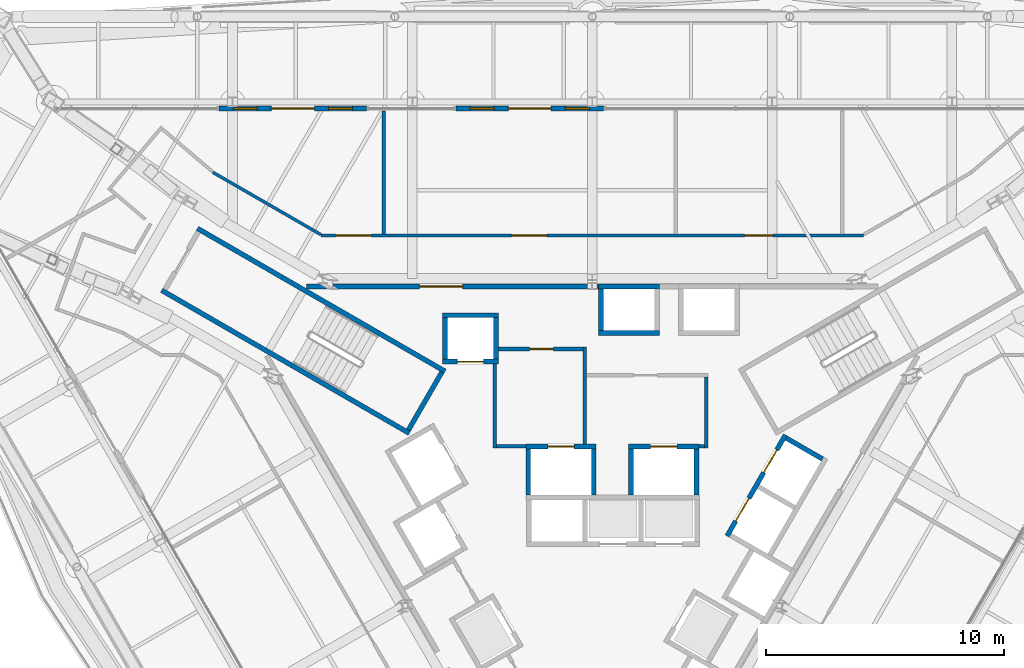
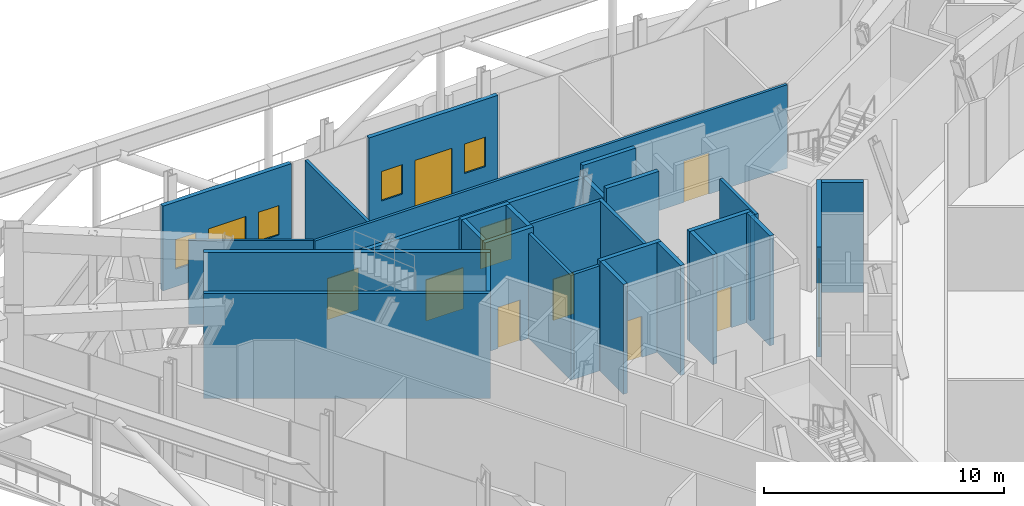
# One storey, part 17 of 25: 30 walls, 12 doors, 4 windows, 16 openings.
"""IFC4 building model written with IfcOpenShell, lengths in metres."""

from ifc_helpers import new_model, si_unit, direction, frame, frame_2d, origin, place, context, subcontext, project, spatial, rectangle, extrude, material, layer, layer_set, type_object, element, fill, save


model = new_model("IFC4")

# Units and contexts
model_context = context("Model", 3, precision=1e-05, world=origin(), true_north=direction((0.0, 1.0)))
body_context = subcontext(model_context, "Body", "Model", "MODEL_VIEW")
ifc_project = project(units=[si_unit("LENGTHUNIT", "METRE"), si_unit("AREAUNIT", "SQUARE_METRE"), si_unit("VOLUMEUNIT", "CUBIC_METRE"), si_unit("PLANEANGLEUNIT", "RADIAN"), si_unit("MASSUNIT", "GRAM", prefix="KILO")], contexts=[model_context])

# Site, building, storey
site_placement = place(None, origin())
site = spatial("IfcSite", under=ifc_project, at=site_placement, CompositionType="ELEMENT")
building_placement = place(site_placement, origin())
building = spatial("IfcBuilding", under=site, at=building_placement, Name="Verrane Prism Tower", CompositionType="ELEMENT")
storey_placement = place(building_placement, frame((0.0, 0.0, 143.199951171875)))
storey = spatial("IfcBuildingStorey", under=building, at=storey_placement, Name="L35", CompositionType="ELEMENT", Elevation=143.199951171875)

# Wall, opening, door
ifc_material_1 = material(Name="Gypsum board partition", Category="other")
ifc_layer_1 = layer(ifc_material_1, 0.199951171875)
ifc_layer_set_1 = layer_set([ifc_layer_1], Name="CW-200 core boundary wall 2 h")
wall_type_1 = type_object("IfcWallType", Name="CW-200 core boundary wall 2 h", PredefinedType="PARTITIONING", material=ifc_layer_set_1)
wall_1_placement = place(storey_placement, frame((0.262939453125, 8.860107421875, 0.0), z_axis=(0.0, 0.0, 1.0), x_axis=(-1.0, 0.0, 0.0)))
wall_1 = element("IfcWall", 1, at=wall_1_placement, inside=storey, type_object=wall_type_1, Name="Core boundary wall CW3-002", PredefinedType="PARTITIONING", context=body_context, shape_type="SweptSolid", body=[
    extrude(rectangle(XDim=12.25390625, YDim=0.199951171875, at=frame_2d((6.126953125, 0.0))), origin(), (0.0, 0.0, 1.0), 4.69677734375),
])
opening_1_placement = place(wall_1_placement, frame((5.708984375, 0.0, 0.0)))
opening_1 = element("IfcOpeningElement", 2, at=opening_1_placement, cuts=wall_1, Name="Opening D35514", PredefinedType="OPENING", context=body_context, shape_type="SweptSolid", body=[
    extrude(rectangle(XDim=1.800048828125, YDim=2.10009765625, at=frame_2d((0.89990234375, 1.050048828125))), frame((0.0, 0.10986328125, 0.0), z_axis=(0.0, -1.0, 0.0), x_axis=(1.0, 0.0, 0.0)), (0.0, 0.0, 1.0), 0.219970703125),
])
ifc_material_2 = material(Name="Timber veneered door leaf", Category="wood")
door_type_1 = type_object("IfcDoorType", Name="DR-1800x2100 FD60 double leaf lift lobby", OperationType="NOTDEFINED", PredefinedType="DOOR", material=ifc_material_2)
door_1_placement = place(opening_1_placement, origin())
door_1 = element("IfcDoor", 3, at=door_1_placement, inside=storey, type_object=door_type_1, Name="Lift lobby door D35514", OperationType="DOUBLE_DOOR_SINGLE_SWING", OverallHeight=2.10009765625, OverallWidth=1.800048828125, PredefinedType="DOOR", context=body_context, shape_type="SweptSolid", body=[
    extrude(rectangle(XDim=1.800048828125, YDim=2.10009765625, at=frame_2d((0.89990234375, 1.050048828125))), frame((0.0, 0.02490234375, 0.0), z_axis=(0.0, -1.0, 0.0), x_axis=(1.0, 0.0, 0.0)), (0.0, 0.0, 1.0), 0.050048828125),
])
fill(opening_1, door_1)

# Walls
ifc_material_3 = material(Name="Concrete C40/50", Category="concrete")
ifc_layer_2 = layer(ifc_material_3, 0.199951171875)
ifc_layer_set_2 = layer_set([ifc_layer_2], Name="CW-200 stair core wall concrete C40/50 3 h")
wall_type_2 = type_object("IfcWallType", Name="CW-200 stair core wall concrete C40/50 3 h", PredefinedType="PARTITIONING", material=ifc_layer_set_2)
for number, where, z_axis, x_axis, name in (
    (4, (-7.67822265625, 2.700927734375, 0.0), (0.0, 0.0, 1.0), (-0.866026010844, 0.49999894854, 0.0), "Stair 2 enclosure wall"),
    (5, (-6.17822265625, 5.299072265625, 0.0), (0.0, 0.0, 1.0), (-0.866026010844, 0.49999894854, 0.0), "Stair 2 enclosure wall"),
):
    element("IfcWall", number, at=place(storey_placement, frame(where, z_axis=z_axis, x_axis=x_axis)), inside=storey, type_object=wall_type_2, Name=name, PredefinedType="PARTITIONING", context=body_context, shape_type="SweptSolid", body=[
        extrude(rectangle(XDim=12.0, YDim=0.199951171875, at=frame_2d((6.0, 0.0))), origin(), (0.0, 0.0, 1.0), 5.35009765625),
    ])
wall_2_placement = place(storey_placement, frame((-6.314697265625, 5.262451171875, 0.0), z_axis=(0.0, 0.0, 1.0), x_axis=(-0.500049511043, -0.865996816683, 0.0)))
element("IfcWall", 6, at=wall_2_placement, inside=storey, type_object=wall_type_2, Name="Stair 2 enclosure wall", PredefinedType="PARTITIONING", context=body_context, shape_type="SweptSolid", body=[
    extrude(rectangle(XDim=2.800048828125, YDim=0.199951171875, at=frame_2d((1.39990234375, 0.0))), origin(), (0.0, 0.0, 1.0), 5.35009765625),
])

# Wall, opening, door
ifc_material_4 = material(Name="Gypsum board shaft wall assembly", Category="other")
ifc_layer_3 = layer(ifc_material_4, 0.199951171875)
ifc_layer_set_3 = layer_set([ifc_layer_3], Name="HW-200 lift shaft wall 2 h")
wall_type_3 = type_object("IfcWallType", Name="HW-200 lift shaft wall 2 h", PredefinedType="PARTITIONING", material=ifc_layer_set_3)
wall_3_placement = place(storey_placement, frame((-2.784912109375, 2.14990234375, 0.0), z_axis=(0.0, 0.0, 1.0), x_axis=(1.0, 0.0, 0.0)))
wall_3 = element("IfcWall", 7, at=wall_3_placement, inside=storey, type_object=wall_type_3, Name="Lift shaft wall", PredefinedType="PARTITIONING", context=body_context, shape_type="SweptSolid", body=[
    extrude(rectangle(XDim=2.949951171875, YDim=0.199951171875, at=frame_2d((1.47509765625, 0.0))), origin(), (0.0, 0.0, 1.0), 5.60009765625),
])
opening_2_placement = place(wall_3_placement, frame((0.925048828125, 0.0, 0.0)))
opening_2 = element("IfcOpeningElement", 8, at=opening_2_placement, cuts=wall_3, Name="Opening D35511", PredefinedType="OPENING", context=body_context, shape_type="SweptSolid", body=[
    extrude(rectangle(XDim=1.10009765625, YDim=2.10009765625, at=frame_2d((0.550048828125, 1.050048828125))), frame((0.0, 0.10986328125, 0.0), z_axis=(0.0, -1.0, 0.0), x_axis=(1.0, 0.0, 0.0)), (0.0, 0.0, 1.0), 0.219970703125),
])
ifc_material_5 = material(Name="Stainless steel sliding landing door", Category="steel")
door_type_2 = type_object("IfcDoorType", Name="LD-1100x2100 lift landing door FD90 sliding", OperationType="NOTDEFINED", PredefinedType="DOOR", material=ifc_material_5)
door_2_placement = place(opening_2_placement, origin())
door_2 = element("IfcDoor", 9, at=door_2_placement, inside=storey, type_object=door_type_2, Name="Fire service lift 1 landing door", OperationType="SLIDING_TO_LEFT", OverallHeight=2.10009765625, OverallWidth=1.10009765625, PredefinedType="DOOR", context=body_context, shape_type="SweptSolid", body=[
    extrude(rectangle(XDim=1.10009765625, YDim=2.10009765625, at=frame_2d((0.550048828125, 1.050048828125))), frame((0.0, 0.02490234375, 0.0), z_axis=(0.0, -1.0, 0.0), x_axis=(1.0, 0.0, 0.0)), (0.0, 0.0, 1.0), 0.050048828125),
])
fill(opening_2, door_2)

wall_4_placement = place(storey_placement, frame((1.52490234375, 2.14990234375, 0.0), z_axis=(0.0, 0.0, 1.0), x_axis=(1.0, 0.0, 0.0)))
wall_4 = element("IfcWall", 10, at=wall_4_placement, inside=storey, type_object=wall_type_3, Name="Lift shaft wall", PredefinedType="PARTITIONING", context=body_context, shape_type="SweptSolid", body=[
    extrude(rectangle(XDim=2.9501953125, YDim=0.199951171875, at=frame_2d((1.47509765625, 0.0))), origin(), (0.0, 0.0, 1.0), 5.60009765625),
])
opening_3_placement = place(wall_4_placement, frame((0.925048828125, 0.0, 0.0)))
opening_3 = element("IfcOpeningElement", 11, at=opening_3_placement, cuts=wall_4, Name="Opening D35512", PredefinedType="OPENING", context=body_context, shape_type="SweptSolid", body=[
    extrude(rectangle(XDim=1.10009765625, YDim=2.10009765625, at=frame_2d((0.550048828125, 1.050048828125))), frame((0.0, 0.10986328125, 0.0), z_axis=(0.0, -1.0, 0.0), x_axis=(1.0, 0.0, 0.0)), (0.0, 0.0, 1.0), 0.219970703125),
])
door_3_placement = place(opening_3_placement, origin())
door_3 = element("IfcDoor", 12, at=door_3_placement, inside=storey, type_object=door_type_2, Name="Fire service lift 2 landing door", OperationType="SLIDING_TO_RIGHT", OverallHeight=2.10009765625, OverallWidth=1.10009765625, PredefinedType="DOOR", context=body_context, shape_type="SweptSolid", body=[
    extrude(rectangle(XDim=1.10009765625, YDim=2.10009765625, at=frame_2d((0.550048828125, 1.050048828125))), frame((0.0, 0.02490234375, 0.0), z_axis=(0.0, -1.0, 0.0), x_axis=(1.0, 0.0, 0.0)), (0.0, 0.0, 1.0), 0.050048828125),
])
fill(opening_3, door_3)

wall_5_placement = place(storey_placement, frame((-6.284912109375, 5.7099609375, 0.0), z_axis=(0.0, 0.0, 1.0), x_axis=(1.0, 0.0, 0.0)))
wall_5 = element("IfcWall", 13, at=wall_5_placement, inside=storey, type_object=wall_type_3, Name="Lift shaft wall", PredefinedType="PARTITIONING", context=body_context, shape_type="SweptSolid", body=[
    extrude(rectangle(XDim=2.349853515625, YDim=0.199951171875, at=frame_2d((1.1748046875, 0.0))), origin(), (0.0, 0.0, 1.0), 5.60009765625),
])
opening_4_placement = place(wall_5_placement, frame((0.625, 0.0, 0.0)))
opening_4 = element("IfcOpeningElement", 14, at=opening_4_placement, cuts=wall_5, Name="Opening D35504", PredefinedType="OPENING", context=body_context, shape_type="SweptSolid", body=[
    extrude(rectangle(XDim=1.10009765625, YDim=2.10009765625, at=frame_2d((0.550048828125, 1.050048828125))), frame((0.0, 0.10986328125, 0.0), z_axis=(0.0, -1.0, 0.0), x_axis=(1.0, 0.0, 0.0)), (0.0, 0.0, 1.0), 0.219970703125),
])
door_4_placement = place(opening_4_placement, origin())
door_4 = element("IfcDoor", 15, at=door_4_placement, inside=storey, type_object=door_type_2, Name="Shuttle lift 2 landing door", OperationType="SLIDING_TO_RIGHT", OverallHeight=2.10009765625, OverallWidth=1.10009765625, PredefinedType="DOOR", context=body_context, shape_type="SweptSolid", body=[
    extrude(rectangle(XDim=1.10009765625, YDim=2.10009765625, at=frame_2d((0.550048828125, 1.050048828125))), frame((0.0, 0.02490234375, 0.0), z_axis=(0.0, -1.0, 0.0), x_axis=(1.0, 0.0, 0.0)), (0.0, 0.0, 1.0), 0.050048828125),
])
fill(opening_4, door_4)

# Walls
wall_6_placement = place(storey_placement, frame((0.264892578125, 6.909912109375, 0.0), z_axis=(0.0, 0.0, 1.0), x_axis=(1.0, 0.0, 0.0)))
element("IfcWall", 16, at=wall_6_placement, inside=storey, type_object=wall_type_3, Name="Lift shaft wall", PredefinedType="PARTITIONING", context=body_context, shape_type="SweptSolid", body=[
    extrude(rectangle(XDim=2.550048828125, YDim=0.199951171875, at=frame_2d((1.27490234375, 0.0))), origin(), (0.0, 0.0, 1.0), 5.35009765625),
])
wall_7_placement = place(storey_placement, frame((-6.284912109375, 7.659912109375, 0.0), z_axis=(0.0, 0.0, 1.0), x_axis=(1.0, 0.0, 0.0)))
element("IfcWall", 17, at=wall_7_placement, inside=storey, type_object=wall_type_3, Name="Lift shaft wall", PredefinedType="PARTITIONING", context=body_context, shape_type="SweptSolid", body=[
    extrude(rectangle(XDim=2.349853515625, YDim=0.199951171875, at=frame_2d((1.1748046875, 0.0))), origin(), (0.0, 0.0, 1.0), 5.60009765625),
])
wall_8_placement = place(storey_placement, frame((0.264892578125, 8.860107421875, 0.0), z_axis=(0.0, 0.0, 1.0), x_axis=(1.0, 0.0, 0.0)))
element("IfcWall", 18, at=wall_8_placement, inside=storey, type_object=wall_type_3, Name="Lift shaft wall", PredefinedType="PARTITIONING", context=body_context, shape_type="SweptSolid", body=[
    extrude(rectangle(XDim=2.550048828125, YDim=0.199951171875, at=frame_2d((1.27490234375, 0.0))), origin(), (0.0, 0.0, 1.0), 5.35009765625),
])

# Wall, openings, doors
wall_9_placement = place(storey_placement, frame((5.66259765625, -1.6123046875, 0.0), z_axis=(0.0, 0.0, 1.0), x_axis=(0.49998122708, 0.866036242063, 0.0)))
wall_9 = element("IfcWall", 19, at=wall_9_placement, inside=storey, type_object=wall_type_3, Name="Lift shaft wall", PredefinedType="PARTITIONING", context=body_context, shape_type="SweptSolid", body=[
    extrude(rectangle(XDim=4.900146484375, YDim=0.199951171875, at=frame_2d((2.4501953125, 0.0))), origin(), (0.0, 0.0, 1.0), 5.60009765625),
])
opening_5_placement = place(wall_9_placement, frame((3.074951171875, 0.0, 0.0)))
opening_5 = element("IfcOpeningElement", 20, at=opening_5_placement, cuts=wall_9, Name="Opening D35503", PredefinedType="OPENING", context=body_context, shape_type="SweptSolid", body=[
    extrude(rectangle(XDim=1.10009765625, YDim=2.10009765625, at=frame_2d((0.550048828125, 1.050048828125))), frame((0.0, 0.10986328125, 0.0), z_axis=(0.0, -1.0, 0.0), x_axis=(1.0, 0.0, 0.0)), (0.0, 0.0, 1.0), 0.219970703125),
])
opening_6_placement = place(wall_9_placement, frame((0.72509765625, 0.0, 0.0)))
opening_6 = element("IfcOpeningElement", 21, at=opening_6_placement, cuts=wall_9, Name="Opening D35505", PredefinedType="OPENING", context=body_context, shape_type="SweptSolid", body=[
    extrude(rectangle(XDim=1.10009765625, YDim=2.10009765625, at=frame_2d((0.550048828125, 1.050048828125))), frame((0.0, 0.10986328125, 0.0), z_axis=(0.0, -1.0, 0.0), x_axis=(1.0, 0.0, 0.0)), (0.0, 0.0, 1.0), 0.219970703125),
])
door_5_placement = place(opening_5_placement, origin())
door_5 = element("IfcDoor", 22, at=door_5_placement, inside=storey, type_object=door_type_2, Name="Shuttle lift 1 landing door", OperationType="SLIDING_TO_LEFT", OverallHeight=2.10009765625, OverallWidth=1.10009765625, PredefinedType="DOOR", context=body_context, shape_type="SweptSolid", body=[
    extrude(rectangle(XDim=1.10009765625, YDim=2.10009765625, at=frame_2d((0.550048828125, 1.050048828125))), frame((0.0, 0.02490234375, 0.0), z_axis=(0.0, -1.0, 0.0), x_axis=(1.0, 0.0, 0.0)), (0.0, 0.0, 1.0), 0.050048828125),
])
fill(opening_5, door_5)
door_6_placement = place(opening_6_placement, origin())
door_6 = element("IfcDoor", 23, at=door_6_placement, inside=storey, type_object=door_type_2, Name="Shuttle lift 3 landing door", OperationType="SLIDING_TO_LEFT", OverallHeight=2.10009765625, OverallWidth=1.10009765625, PredefinedType="DOOR", context=body_context, shape_type="SweptSolid", body=[
    extrude(rectangle(XDim=1.10009765625, YDim=2.10009765625, at=frame_2d((0.550048828125, 1.050048828125))), frame((0.0, 0.02490234375, 0.0), z_axis=(0.0, -1.0, 0.0), x_axis=(1.0, 0.0, 0.0)), (0.0, 0.0, 1.0), 0.050048828125),
])
fill(opening_6, door_6)

# Walls
for number, where, z_axis, x_axis, name in (
    (24, (4.375, 0.10009765625, 0.0), (0.0, 0.0, 1.0), (0.0, 1.0, 0.0), "Lift shaft wall"),
    (25, (1.625, 0.10009765625, 0.0), (0.0, 0.0, 1.0), (0.0, 1.0, 0.0), "Lift shaft wall"),
):
    element("IfcWall", number, at=place(storey_placement, frame(where, z_axis=z_axis, x_axis=x_axis)), inside=storey, type_object=wall_type_3, Name=name, PredefinedType="PARTITIONING", context=body_context, shape_type="SweptSolid", body=[
        extrude(rectangle(XDim=1.949951171875, YDim=0.199951171875, at=frame_2d((0.97509765625, 0.0))), origin(), (0.0, 0.0, 1.0), 5.60009765625),
    ])
wall_10_placement = place(storey_placement, frame((0.364990234375, 7.010009765625, 0.0), z_axis=(0.0, 0.0, 1.0), x_axis=(0.0, 1.0, 0.0)))
element("IfcWall", 26, at=wall_10_placement, inside=storey, type_object=wall_type_3, Name="Lift shaft wall", PredefinedType="PARTITIONING", context=body_context, shape_type="SweptSolid", body=[
    extrude(rectangle(XDim=1.75, YDim=0.199951171875, at=frame_2d((0.875, 0.0))), origin(), (0.0, 0.0, 1.0), 4.73291015625),
])
for number, where, z_axis, x_axis, name in (
    (27, (0.06494140625, 0.10009765625, 0.0), (0.0, 0.0, 1.0), (0.0, 1.0, 0.0), "Lift shaft wall"),
    (28, (-2.68505859375, 0.10009765625, 0.0), (0.0, 0.0, 1.0), (0.0, 1.0, 0.0), "Lift shaft wall"),
):
    element("IfcWall", number, at=place(storey_placement, frame(where, z_axis=z_axis, x_axis=x_axis)), inside=storey, type_object=wall_type_3, Name=name, PredefinedType="PARTITIONING", context=body_context, shape_type="SweptSolid", body=[
        extrude(rectangle(XDim=1.949951171875, YDim=0.199951171875, at=frame_2d((0.97509765625, 0.0))), origin(), (0.0, 0.0, 1.0), 5.60009765625),
    ])
for number, where, z_axis, x_axis, name in (
    (29, (-4.034912109375, 5.81005859375, 0.0), (0.0, 0.0, 1.0), (0.0, 1.0, 0.0), "Lift shaft wall"),
    (30, (-6.18505859375, 5.81005859375, 0.0), (0.0, 0.0, 1.0), (0.0, 1.0, 0.0), "Lift shaft wall"),
):
    element("IfcWall", number, at=place(storey_placement, frame(where, z_axis=z_axis, x_axis=x_axis)), inside=storey, type_object=wall_type_3, Name=name, PredefinedType="PARTITIONING", context=body_context, shape_type="SweptSolid", body=[
        extrude(rectangle(XDim=1.75, YDim=0.199951171875, at=frame_2d((0.875, 0.0))), origin(), (0.0, 0.0, 1.0), 5.60009765625),
    ])
wall_11_placement = place(storey_placement, frame((9.66455078125, 1.61962890625, 0.0), z_axis=(0.0, 0.0, 1.0), x_axis=(-0.866002029911, 0.500040482552, 0.0)))
element("IfcWall", 31, at=wall_11_placement, inside=storey, type_object=wall_type_3, Name="Lift shaft wall", PredefinedType="PARTITIONING", context=body_context, shape_type="SweptSolid", body=[
    extrude(rectangle(XDim=1.749755859375, YDim=0.199951171875, at=frame_2d((0.875, 0.0))), origin(), (0.0, 0.0, 1.0), 5.60009765625),
])
ifc_material_6 = material(Name="Gypsum board partition", Category="other")
ifc_layer_4 = layer(ifc_material_6, 0.14990234375)
ifc_layer_set_4 = layer_set([ifc_layer_4], Name="LF-150 firefighting lobby wall 1 h")
wall_type_4 = type_object("IfcWallType", Name="LF-150 firefighting lobby wall 1 h", PredefinedType="PARTITIONING", material=ifc_layer_set_4)
wall_12_placement = place(storey_placement, frame((-4.10009765625, 2.0849609375, 0.0), z_axis=(0.0, 0.0, 1.0), x_axis=(0.0, 1.0, 0.0)))
element("IfcWall", 32, at=wall_12_placement, inside=storey, type_object=wall_type_4, Name="Firefighting lobby wall LF1-001", PredefinedType="PARTITIONING", context=body_context, shape_type="SweptSolid", body=[
    extrude(rectangle(XDim=3.52294921875, YDim=0.14990234375, at=frame_2d((1.761474609375, 0.0))), origin(), (0.0, 0.0, 1.0), 5.35009765625),
])
wall_13_placement = place(storey_placement, frame((-4.02490234375, 2.159912109375, 0.0), z_axis=(0.0, 0.0, 1.0), x_axis=(1.0, 0.0, 0.0)))
element("IfcWall", 33, at=wall_13_placement, inside=storey, type_object=wall_type_4, Name="Firefighting lobby wall LF1-002", PredefinedType="PARTITIONING", context=body_context, shape_type="SweptSolid", body=[
    extrude(rectangle(XDim=1.23779296875, YDim=0.14990234375, at=frame_2d((0.618896484375, 0.0))), origin(), (0.0, 0.0, 1.0), 5.35009765625),
])

# Wall, opening, door
wall_14_placement = place(storey_placement, frame((-3.93310546875, 6.239990234375, 0.0), z_axis=(0.0, 0.0, 1.0), x_axis=(1.0, 0.0, 0.0)))
wall_14 = element("IfcWall", 34, at=wall_14_placement, inside=storey, type_object=wall_type_4, Name="Firefighting lobby wall LF1-003", PredefinedType="PARTITIONING", context=body_context, shape_type="SweptSolid", body=[
    extrude(rectangle(XDim=3.5380859375, YDim=0.14990234375, at=frame_2d((1.76904296875, 0.0))), origin(), (0.0, 0.0, 1.0), 5.35009765625),
])
opening_7_placement = place(wall_14_placement, frame((1.300048828125, 0.0, 0.0)))
opening_7 = element("IfcOpeningElement", 35, at=opening_7_placement, cuts=wall_14, Name="Opening D35516", PredefinedType="OPENING", context=body_context, shape_type="SweptSolid", body=[
    extrude(rectangle(XDim=1.0, YDim=2.10009765625, at=frame_2d((0.5, 1.050048828125))), frame((0.0, 0.0849609375, 0.0), z_axis=(0.0, -1.0, 0.0), x_axis=(1.0, 0.0, 0.0)), (0.0, 0.0, 1.0), 0.169921875),
])
ifc_material_7 = material(Name="Timber veneered door leaf", Category="wood")
door_type_3 = type_object("IfcDoorType", Name="DR-1000x2100 FD60 single leaf firefighting lobby", OperationType="NOTDEFINED", PredefinedType="DOOR", material=ifc_material_7)
door_7_placement = place(opening_7_placement, origin())
door_7 = element("IfcDoor", 36, at=door_7_placement, inside=storey, type_object=door_type_3, Name="Firefighting lobby door D35516", OperationType="SINGLE_SWING_LEFT", OverallHeight=2.10009765625, OverallWidth=1.0, PredefinedType="DOOR", context=body_context, shape_type="SweptSolid", body=[
    extrude(rectangle(XDim=1.0, YDim=2.10009765625, at=frame_2d((0.5, 1.050048828125))), frame((0.0, 0.02490234375, 0.0), z_axis=(0.0, -1.0, 0.0), x_axis=(1.0, 0.0, 0.0)), (0.0, 0.0, 1.0), 0.050048828125),
])
fill(opening_7, door_7)

# Walls
wall_15_placement = place(storey_placement, frame((-0.320068359375, 2.251953125, 0.0), z_axis=(0.0, 0.0, 1.0), x_axis=(0.0, 1.0, 0.0)))
element("IfcWall", 37, at=wall_15_placement, inside=storey, type_object=wall_type_4, Name="Firefighting lobby wall LF1-004", PredefinedType="PARTITIONING", context=body_context, shape_type="SweptSolid", body=[
    extrude(rectangle(XDim=4.06298828125, YDim=0.14990234375, at=frame_2d((2.031494140625, 0.0))), origin(), (0.0, 0.0, 1.0), 5.35009765625),
])
wall_16_placement = place(storey_placement, frame((4.47705078125, 2.159912109375, 0.0), z_axis=(0.0, 0.0, 1.0), x_axis=(1.0, 0.0, 0.0)))
element("IfcWall", 38, at=wall_16_placement, inside=storey, type_object=wall_type_4, Name="Firefighting lobby wall LF1-006", PredefinedType="PARTITIONING", context=body_context, shape_type="SweptSolid", body=[
    extrude(rectangle(XDim=0.238037109375, YDim=0.14990234375, at=frame_2d((0.119140625, 0.0))), origin(), (0.0, 0.0, 1.0), 5.35009765625),
])
wall_17_placement = place(storey_placement, frame((4.7900390625, 2.0849609375, 0.0), z_axis=(0.0, 0.0, 1.0), x_axis=(0.0, 1.0, 0.0)))
element("IfcWall", 39, at=wall_17_placement, inside=storey, type_object=wall_type_4, Name="Firefighting lobby wall LF1-007", PredefinedType="PARTITIONING", context=body_context, shape_type="SweptSolid", body=[
    extrude(rectangle(XDim=2.97998046875, YDim=0.14990234375, at=frame_2d((1.489990234375, 0.0))), origin(), (0.0, 0.0, 1.0), 5.35009765625),
])
ifc_material_8 = material(Name="Gypsum board partition", Category="other")
ifc_layer_5 = layer(ifc_material_8, 0.125)
ifc_layer_set_5 = layer_set([ifc_layer_5], Name="PW-125 corridor wall 1 h")
wall_type_5 = type_object("IfcWallType", Name="PW-125 corridor wall 1 h", PredefinedType="PARTITIONING", material=ifc_layer_set_5)
wall_18_placement = place(storey_placement, frame((-15.925048828125, 13.6552734375, 0.0), z_axis=(0.0, 0.0, 1.0), x_axis=(0.866219007347, -0.499664518764, 0.0)))
element("IfcWall", 40, at=wall_18_placement, inside=storey, type_object=wall_type_5, Name="Corridor wall 013", PredefinedType="PARTITIONING", context=body_context, shape_type="SweptSolid", body=[
    extrude(rectangle(XDim=5.22900390625, YDim=0.125, at=frame_2d((2.614501953125, 0.0))), origin(), (0.0, 0.0, 1.0), 4.261962890625),
])

# Wall, openings, doors
wall_19_placement = place(storey_placement, frame((-11.384521484375, 11.0, 0.0), z_axis=(0.0, 0.0, 1.0), x_axis=(1.0, 0.0, 0.0)))
wall_19 = element("IfcWall", 41, at=wall_19_placement, inside=storey, type_object=wall_type_5, Name="Corridor wall 015", PredefinedType="PARTITIONING", context=body_context, shape_type="SweptSolid", body=[
    extrude(rectangle(XDim=22.76904296875, YDim=0.125, at=frame_2d((11.384521484375, 0.0))), origin(), (0.0, 0.0, 1.0), 4.261962890625),
])
opening_8_placement = place(wall_19_placement, frame((17.781494140625, 0.0, 0.0)))
opening_8 = element("IfcOpeningElement", 42, at=opening_8_placement, cuts=wall_19, Name="Opening D35002", PredefinedType="OPENING", context=body_context, shape_type="SweptSolid", body=[
    extrude(rectangle(XDim=1.199951171875, YDim=2.10009765625, at=frame_2d((0.60009765625, 1.050048828125))), frame((0.0, 0.072509765625, 0.0), z_axis=(0.0, -1.0, 0.0), x_axis=(1.0, 0.0, 0.0)), (0.0, 0.0, 1.0), 0.14501953125),
])
opening_9_placement = place(wall_19_placement, frame((7.991455078125, 0.0, 0.0)))
opening_9 = element("IfcOpeningElement", 43, at=opening_9_placement, cuts=wall_19, Name="Opening D35003", PredefinedType="OPENING", context=body_context, shape_type="SweptSolid", body=[
    extrude(rectangle(XDim=1.5, YDim=2.10009765625, at=frame_2d((0.75, 1.050048828125))), frame((0.0, 0.072509765625, 0.0), z_axis=(0.0, -1.0, 0.0), x_axis=(1.0, 0.0, 0.0)), (0.0, 0.0, 1.0), 0.14501953125),
])
opening_10_placement = place(wall_19_placement, frame((0.612548828125, 0.0, 0.0)))
opening_10 = element("IfcOpeningElement", 44, at=opening_10_placement, cuts=wall_19, Name="Opening D35004", PredefinedType="OPENING", context=body_context, shape_type="SweptSolid", body=[
    extrude(rectangle(XDim=1.5, YDim=2.10009765625, at=frame_2d((0.75, 1.050048828125))), frame((0.0, 0.072509765625, 0.0), z_axis=(0.0, -1.0, 0.0), x_axis=(1.0, 0.0, 0.0)), (0.0, 0.0, 1.0), 0.14501953125),
])
ifc_material_9 = material(Name="Timber veneered door leaf", Category="wood")
door_type_4 = type_object("IfcDoorType", Name="DR-1200x2100 FD60 single leaf unit", OperationType="NOTDEFINED", PredefinedType="DOOR", material=ifc_material_9)
door_8_placement = place(opening_8_placement, origin())
door_8 = element("IfcDoor", 45, at=door_8_placement, inside=storey, type_object=door_type_4, Name="Electrical Switch Room door", OperationType="SINGLE_SWING_RIGHT", OverallHeight=2.10009765625, OverallWidth=1.199951171875, PredefinedType="DOOR", context=body_context, shape_type="SweptSolid", body=[
    extrude(rectangle(XDim=1.199951171875, YDim=2.10009765625, at=frame_2d((0.60009765625, 1.050048828125))), frame((0.0, 0.02490234375, 0.0), z_axis=(0.0, -1.0, 0.0), x_axis=(1.0, 0.0, 0.0)), (0.0, 0.0, 1.0), 0.050048828125),
])
fill(opening_8, door_8)
ifc_material_10 = material(Name="Timber veneered door leaf", Category="wood")
door_type_5 = type_object("IfcDoorType", Name="DR-1500x2100 FD60 double leaf unit", OperationType="NOTDEFINED", PredefinedType="DOOR", material=ifc_material_10)
door_9_placement = place(opening_9_placement, origin())
door_9 = element("IfcDoor", 46, at=door_9_placement, inside=storey, type_object=door_type_5, Name="Refuge Area door", OperationType="DOUBLE_DOOR_SINGLE_SWING", OverallHeight=2.10009765625, OverallWidth=1.5, PredefinedType="DOOR", context=body_context, shape_type="SweptSolid", body=[
    extrude(rectangle(XDim=1.5, YDim=2.10009765625, at=frame_2d((0.75, 1.050048828125))), frame((0.0, 0.02490234375, 0.0), z_axis=(0.0, -1.0, 0.0), x_axis=(1.0, 0.0, 0.0)), (0.0, 0.0, 1.0), 0.050048828125),
])
fill(opening_9, door_9)
door_10_placement = place(opening_10_placement, origin())
door_10 = element("IfcDoor", 47, at=door_10_placement, inside=storey, type_object=door_type_5, Name="Refuge Area door", OperationType="DOUBLE_DOOR_SINGLE_SWING", OverallHeight=2.10009765625, OverallWidth=1.5, PredefinedType="DOOR", context=body_context, shape_type="SweptSolid", body=[
    extrude(rectangle(XDim=1.5, YDim=2.10009765625, at=frame_2d((0.75, 1.050048828125))), frame((0.0, 0.02490234375, 0.0), z_axis=(0.0, -1.0, 0.0), x_axis=(1.0, 0.0, 0.0)), (0.0, 0.0, 1.0), 0.050048828125),
])
fill(opening_10, door_10)

# Wall
ifc_material_11 = material(Name="Gypsum board partition", Category="other")
ifc_layer_6 = layer(ifc_material_11, 0.14990234375)
ifc_layer_set_6 = layer_set([ifc_layer_6], Name="PW-150 demising wall 1 h")
wall_type_6 = type_object("IfcWallType", Name="PW-150 demising wall 1 h", PredefinedType="PARTITIONING", material=ifc_layer_set_6)
wall_20_placement = place(storey_placement, frame((-8.742919921875, 11.0625, 0.0), z_axis=(0.0, 0.0, 1.0), x_axis=(0.0, 1.0, 0.0)))
element("IfcWall", 48, at=wall_20_placement, inside=storey, type_object=wall_type_6, Name="Demising wall 017", PredefinedType="PARTITIONING", context=body_context, shape_type="SweptSolid", body=[
    extrude(rectangle(XDim=5.172607421875, YDim=0.14990234375, at=frame_2d((2.58642578125, 0.0))), origin(), (0.0, 0.0, 1.0), 4.261962890625),
])

# Wall, openings, door, windows
ifc_material_12 = material(Name="Aluminium framed insulated glazing", Category="aluminium")
ifc_layer_7 = layer(ifc_material_12, 0.199951171875)
ifc_layer_set_7 = layer_set([ifc_layer_7], Name="Refuge screen wall 200")
wall_type_7 = type_object("IfcWallType", Name="Refuge screen wall 200", PredefinedType="SOLIDWALL", material=ifc_layer_set_7)
wall_21_placement = place(storey_placement, frame((0.47705078125, 16.3310546875, 0.0), z_axis=(0.0, 0.0, 1.0), x_axis=(-1.0, 0.0, 0.0)))
wall_21 = element("IfcWall", 49, at=wall_21_placement, inside=storey, type_object=wall_type_7, Name="Refuge screen wall north face L35", PredefinedType="SOLIDWALL", context=body_context, shape_type="SweptSolid", body=[
    extrude(rectangle(XDim=6.199951171875, YDim=0.199951171875, at=frame_2d((3.10009765625, 0.0))), origin(), (0.0, 0.0, 1.0), 4.322509765625),
])
opening_11_placement = place(wall_21_placement, frame((0.60009765625, 0.0, 0.89990234375)))
opening_11 = element("IfcOpeningElement", 50, at=opening_11_placement, cuts=wall_21, Name="Opening W35701", PredefinedType="OPENING", context=body_context, shape_type="SweptSolid", body=[
    extrude(rectangle(XDim=1.0, YDim=1.5, at=frame_2d((0.5, 0.75))), frame((0.0, 0.10986328125, 0.0), z_axis=(0.0, -1.0, 0.0), x_axis=(1.0, 0.0, 0.0)), (0.0, 0.0, 1.0), 0.219970703125),
])
opening_12_placement = place(wall_21_placement, frame((2.199951171875, 0.0, 0.0)))
opening_12 = element("IfcOpeningElement", 51, at=opening_12_placement, cuts=wall_21, Name="Opening D35701", PredefinedType="OPENING", context=body_context, shape_type="SweptSolid", body=[
    extrude(rectangle(XDim=1.800048828125, YDim=2.39990234375, at=frame_2d((0.89990234375, 1.199951171875))), frame((0.0, 0.10986328125, 0.0), z_axis=(0.0, -1.0, 0.0), x_axis=(1.0, 0.0, 0.0)), (0.0, 0.0, 1.0), 0.219970703125),
])
opening_13_placement = place(wall_21_placement, frame((4.60009765625, 0.0, 0.89990234375)))
opening_13 = element("IfcOpeningElement", 52, at=opening_13_placement, cuts=wall_21, Name="Opening W35702", PredefinedType="OPENING", context=body_context, shape_type="SweptSolid", body=[
    extrude(rectangle(XDim=1.0, YDim=1.5, at=frame_2d((0.5, 0.75))), frame((0.0, 0.10986328125, 0.0), z_axis=(0.0, -1.0, 0.0), x_axis=(1.0, 0.0, 0.0)), (0.0, 0.0, 1.0), 0.219970703125),
])
ifc_material_13 = material(Name="Aluminium framed glazing", Category="aluminium")
door_type_6 = type_object("IfcDoorType", Name="DR-1800x2400 double glazed garden door", OperationType="DOUBLE_DOOR_SINGLE_SWING", PredefinedType="DOOR", material=ifc_material_13)
door_11_placement = place(opening_12_placement, frame((1.800048828125, 0.0, 0.0), z_axis=(0.0, 0.0, 1.0), x_axis=(-1.0, 0.0, 0.0)))
door_11 = element("IfcDoor", 53, at=door_11_placement, inside=storey, type_object=door_type_6, Name="Refuge terrace door D35701", OperationType="DOUBLE_DOOR_SINGLE_SWING", OverallHeight=2.39990234375, OverallWidth=1.800048828125, PredefinedType="DOOR", context=body_context, shape_type="SweptSolid", body=[
    extrude(rectangle(XDim=1.800048828125, YDim=2.39990234375, at=frame_2d((0.89990234375, 1.199951171875))), frame((0.0, 0.02490234375, 0.0), z_axis=(0.0, -1.0, 0.0), x_axis=(1.0, 0.0, 0.0)), (0.0, 0.0, 1.0), 0.050048828125),
])
fill(opening_12, door_11)
ifc_material_14 = material(Name="Aluminium framed glazing", Category="aluminium")
window_type = type_object("IfcWindowType", Name="Vent window 1000x1500 top hung", PartitioningType="SINGLE_PANEL", PredefinedType="WINDOW", material=ifc_material_14)
window_1_placement = place(opening_11_placement, origin())
window_1 = element("IfcWindow", 54, at=window_1_placement, inside=storey, type_object=window_type, Name="Vent window W35701", OverallHeight=1.5, OverallWidth=1.0, PartitioningType="SINGLE_PANEL", PredefinedType="WINDOW", context=body_context, shape_type="SweptSolid", body=[
    extrude(rectangle(XDim=1.0, YDim=1.5, at=frame_2d((0.5, 0.75))), frame((0.0, 0.030029296875, 0.0), z_axis=(0.0, -1.0, 0.0), x_axis=(1.0, 0.0, 0.0)), (0.0, 0.0, 1.0), 0.06005859375),
])
fill(opening_11, window_1)
window_2_placement = place(opening_13_placement, origin())
window_2 = element("IfcWindow", 55, at=window_2_placement, inside=storey, type_object=window_type, Name="Vent window W35702", OverallHeight=1.5, OverallWidth=1.0, PartitioningType="SINGLE_PANEL", PredefinedType="WINDOW", context=body_context, shape_type="SweptSolid", body=[
    extrude(rectangle(XDim=1.0, YDim=1.5, at=frame_2d((0.5, 0.75))), frame((0.0, 0.030029296875, 0.0), z_axis=(0.0, -1.0, 0.0), x_axis=(1.0, 0.0, 0.0)), (0.0, 0.0, 1.0), 0.06005859375),
])
fill(opening_13, window_2)

wall_22_placement = place(storey_placement, frame((-9.467041015625, 16.3310546875, 0.0), z_axis=(0.0, 0.0, 1.0), x_axis=(-1.0, 0.0, 0.0)))
wall_22 = element("IfcWall", 56, at=wall_22_placement, inside=storey, type_object=wall_type_7, Name="Refuge screen wall north face L35", PredefinedType="SOLIDWALL", context=body_context, shape_type="SweptSolid", body=[
    extrude(rectangle(XDim=6.199951171875, YDim=0.199951171875, at=frame_2d((3.10009765625, 0.0))), origin(), (0.0, 0.0, 1.0), 4.322509765625),
])
opening_14_placement = place(wall_22_placement, frame((0.60009765625, 0.0, 0.89990234375)))
opening_14 = element("IfcOpeningElement", 57, at=opening_14_placement, cuts=wall_22, Name="Opening W35703", PredefinedType="OPENING", context=body_context, shape_type="SweptSolid", body=[
    extrude(rectangle(XDim=1.0, YDim=1.5, at=frame_2d((0.5, 0.75))), frame((0.0, 0.10986328125, 0.0), z_axis=(0.0, -1.0, 0.0), x_axis=(1.0, 0.0, 0.0)), (0.0, 0.0, 1.0), 0.219970703125),
])
opening_15_placement = place(wall_22_placement, frame((2.199951171875, 0.0, 0.0)))
opening_15 = element("IfcOpeningElement", 58, at=opening_15_placement, cuts=wall_22, Name="Opening D35702", PredefinedType="OPENING", context=body_context, shape_type="SweptSolid", body=[
    extrude(rectangle(XDim=1.800048828125, YDim=2.39990234375, at=frame_2d((0.89990234375, 1.199951171875))), frame((0.0, 0.10986328125, 0.0), z_axis=(0.0, -1.0, 0.0), x_axis=(1.0, 0.0, 0.0)), (0.0, 0.0, 1.0), 0.219970703125),
])
opening_16_placement = place(wall_22_placement, frame((4.60009765625, 0.0, 0.89990234375)))
opening_16 = element("IfcOpeningElement", 59, at=opening_16_placement, cuts=wall_22, Name="Opening W35704", PredefinedType="OPENING", context=body_context, shape_type="SweptSolid", body=[
    extrude(rectangle(XDim=1.0, YDim=1.5, at=frame_2d((0.5, 0.75))), frame((0.0, 0.10986328125, 0.0), z_axis=(0.0, -1.0, 0.0), x_axis=(1.0, 0.0, 0.0)), (0.0, 0.0, 1.0), 0.219970703125),
])
door_12_placement = place(opening_15_placement, frame((1.800048828125, 0.0, 0.0), z_axis=(0.0, 0.0, 1.0), x_axis=(-1.0, 0.0, 0.0)))
door_12 = element("IfcDoor", 60, at=door_12_placement, inside=storey, type_object=door_type_6, Name="Refuge terrace door D35702", OperationType="DOUBLE_DOOR_SINGLE_SWING", OverallHeight=2.39990234375, OverallWidth=1.800048828125, PredefinedType="DOOR", context=body_context, shape_type="SweptSolid", body=[
    extrude(rectangle(XDim=1.800048828125, YDim=2.39990234375, at=frame_2d((0.89990234375, 1.199951171875))), frame((0.0, 0.02490234375, 0.0), z_axis=(0.0, -1.0, 0.0), x_axis=(1.0, 0.0, 0.0)), (0.0, 0.0, 1.0), 0.050048828125),
])
fill(opening_15, door_12)
window_3_placement = place(opening_14_placement, origin())
window_3 = element("IfcWindow", 61, at=window_3_placement, inside=storey, type_object=window_type, Name="Vent window W35703", OverallHeight=1.5, OverallWidth=1.0, PartitioningType="SINGLE_PANEL", PredefinedType="WINDOW", context=body_context, shape_type="SweptSolid", body=[
    extrude(rectangle(XDim=1.0, YDim=1.5, at=frame_2d((0.5, 0.75))), frame((0.0, 0.030029296875, 0.0), z_axis=(0.0, -1.0, 0.0), x_axis=(1.0, 0.0, 0.0)), (0.0, 0.0, 1.0), 0.06005859375),
])
fill(opening_14, window_3)
window_4_placement = place(opening_16_placement, origin())
window_4 = element("IfcWindow", 62, at=window_4_placement, inside=storey, type_object=window_type, Name="Vent window W35704", OverallHeight=1.5, OverallWidth=1.0, PartitioningType="SINGLE_PANEL", PredefinedType="WINDOW", context=body_context, shape_type="SweptSolid", body=[
    extrude(rectangle(XDim=1.0, YDim=1.5, at=frame_2d((0.5, 0.75))), frame((0.0, 0.030029296875, 0.0), z_axis=(0.0, -1.0, 0.0), x_axis=(1.0, 0.0, 0.0)), (0.0, 0.0, 1.0), 0.06005859375),
])
fill(opening_16, window_4)

save(model, "model.ifc")
